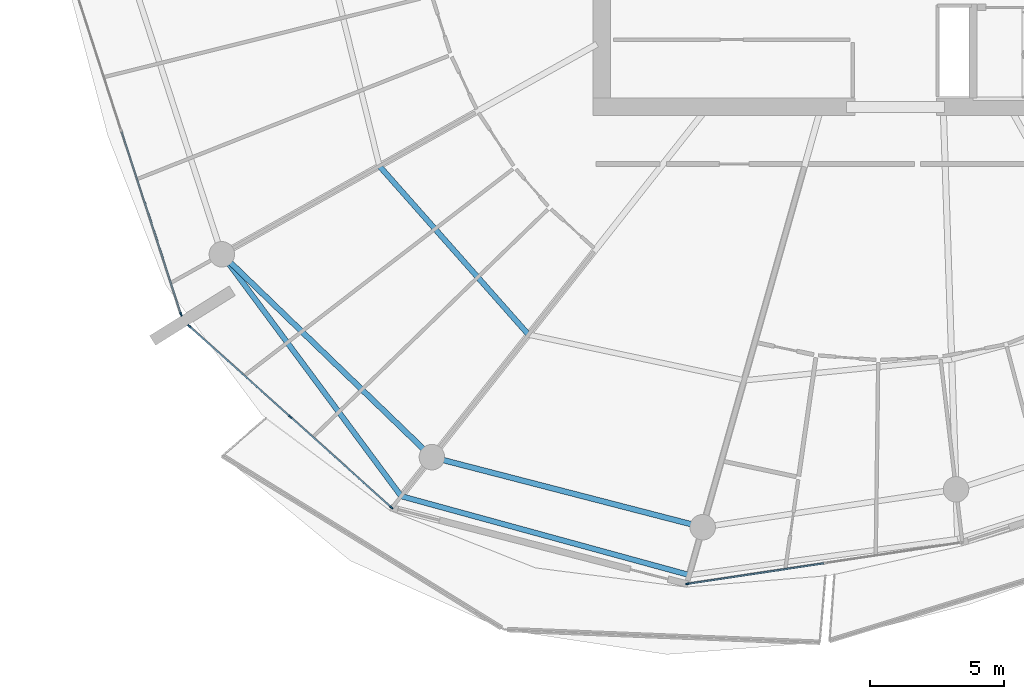
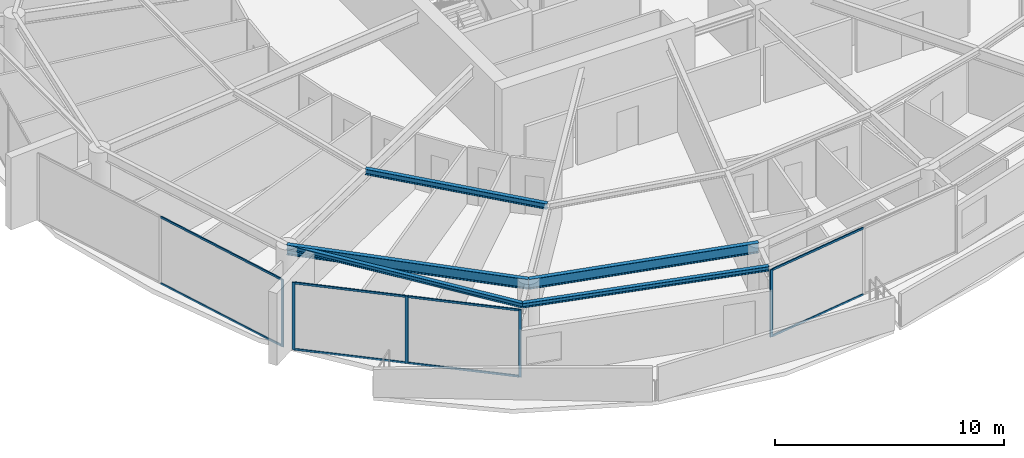
# One storey, part 6 of 31: 13 members, 5 beams, 3 elements without a shape of their own.
"""IFC4 building model written with IfcOpenShell, lengths in metres."""

from ifc_helpers import new_model, si_unit, direction, frame, origin, origin_2d, place, context, subcontext, project, spatial, rectangle, i_section, extrude, material, layer, layer_set, material_profile, profile_set, type_object, element, aggregate, save


model = new_model("IFC4")

# Units and contexts
model_context = context("Model", 3, precision=1e-05, world=origin(), true_north=direction((0.0, 1.0)))
body_context = subcontext(model_context, "Body", "Model", "MODEL_VIEW")
ifc_project = project(units=[si_unit("LENGTHUNIT", "METRE"), si_unit("AREAUNIT", "SQUARE_METRE"), si_unit("VOLUMEUNIT", "CUBIC_METRE"), si_unit("PLANEANGLEUNIT", "RADIAN"), si_unit("MASSUNIT", "GRAM", prefix="KILO")], contexts=[model_context])

# Site, building, storey
site_placement = place(None, origin())
site = spatial("IfcSite", under=ifc_project, at=site_placement, CompositionType="ELEMENT")
building_placement = place(site_placement, origin())
building = spatial("IfcBuilding", under=site, at=building_placement, Name="Kazma Halo Residences", CompositionType="ELEMENT")
storey_placement = place(building_placement, frame((0.0, 0.0, 271.35009765625)))
storey = spatial("IfcBuildingStorey", under=building, at=storey_placement, Name="L68", CompositionType="ELEMENT", Elevation=271.35009765625)

# Beams
ifc_material_1 = material(Name="Steel S355", Category="steel")
ifc_material_profile_1 = material_profile(ifc_material_1, i_section(OverallWidth=0.201904296875, OverallDepth=0.2470703125, WebThickness=0.00732421875, FlangeThickness=0.010986328125, FilletRadius=0.011962890625, at=origin_2d()), Name="W250x49.1")
ifc_profile_set_1 = profile_set([ifc_material_profile_1], Name="Steel S355")
beam_type_1 = type_object("IfcBeamType", Name="BM-BAL-CANT", PredefinedType="BEAM", material=ifc_profile_set_1)
beam_1_placement = place(storey_placement, frame((23.32958984375, 28.18408203125, 3.46630859375), z_axis=(0.595556062515, -0.803313747176, 0.0), x_axis=(0.803313747176, 0.595556062515, 0.0)))
element("IfcBeam", 1, at=beam_1_placement, inside=storey, type_object=beam_type_1, Name="L68 wave-balcony lead tie beam 09", PredefinedType="BEAM", context=body_context, shape_type="SweptSolid", body=[
    extrude(i_section(OverallWidth=0.201904296875, OverallDepth=0.2470703125, WebThickness=0.00732421875, FlangeThickness=0.010986328125, FilletRadius=0.011962890625, at=origin_2d()), origin(), (0.0, 0.0, 1.0), 11.213134765625),
])
beam_2_placement = place(storey_placement, frame((30.007568359375, 19.176513671875, 3.46630859375), z_axis=(0.964514665976, -0.264029277006, 0.0), x_axis=(0.264029277006, 0.964514665976, 0.0)))
element("IfcBeam", 2, at=beam_2_placement, inside=storey, type_object=beam_type_1, Name="L68 wave-balcony tie beam 10", PredefinedType="BEAM", context=body_context, shape_type="SweptSolid", body=[
    extrude(i_section(OverallWidth=0.201904296875, OverallDepth=0.2470703125, WebThickness=0.00732421875, FlangeThickness=0.010986328125, FilletRadius=0.011962890625, at=origin_2d()), origin(), (0.0, 0.0, 1.0), 11.1220703125),
])
ifc_material_profile_2 = material_profile(ifc_material_1, i_section(OverallWidth=0.202880859375, OverallDepth=0.302978515625, WebThickness=0.007568359375, FlangeThickness=0.01318359375, FilletRadius=0.013916015625, at=origin_2d()), Name="W310x60")
ifc_profile_set_2 = profile_set([ifc_material_profile_2], Name="Steel S355")
beam_type_2 = type_object("IfcBeamType", Name="BM-SEC-W310A", PredefinedType="JOIST", material=ifc_profile_set_2)
beam_3_placement = place(storey_placement, frame((29.197265625, 31.469970703125, 3.4384765625), z_axis=(0.662539311942, -0.749027142453, 0.0), x_axis=(0.749027142453, 0.662539311942, 0.0)))
element("IfcBeam", 3, at=beam_3_placement, inside=storey, type_object=beam_type_2, Name="L68 circumferential floor joist 09", PredefinedType="JOIST", context=body_context, shape_type="SweptSolid", body=[
    extrude(i_section(OverallWidth=0.202880859375, OverallDepth=0.302978515625, WebThickness=0.007568359375, FlangeThickness=0.01318359375, FilletRadius=0.013916015625, at=origin_2d()), origin(), (0.0, 0.0, 1.0), 8.381103515625),
])
ifc_material_profile_3 = material_profile(ifc_material_1, i_section(OverallWidth=0.208984375, OverallDepth=0.532958984375, WebThickness=0.01025390625, FlangeThickness=0.015625, FilletRadius=0.01611328125, at=origin_2d()), Name="W530x92")
ifc_profile_set_3 = profile_set([ifc_material_profile_3], Name="Steel S355")
beam_type_3 = type_object("IfcBeamType", Name="BM-SPN-W530", PredefinedType="BEAM", material=ifc_profile_set_3)
beam_4_placement = place(storey_placement, frame((23.32958984375, 28.18408203125, 3.323486328125), z_axis=(0.719345757929, -0.694652201141, 0.0), x_axis=(0.694652201141, 0.719345757929, 0.0)))
element("IfcBeam", 4, at=beam_4_placement, inside=storey, type_object=beam_type_3, Name="L68 perimeter ring beam 09", PredefinedType="BEAM", context=body_context, shape_type="SweptSolid", body=[
    extrude(i_section(OverallWidth=0.208984375, OverallDepth=0.532958984375, WebThickness=0.01025390625, FlangeThickness=0.015625, FilletRadius=0.01611328125, at=origin_2d()), origin(), (0.0, 0.0, 1.0), 10.87548828125),
])
beam_5_placement = place(storey_placement, frame((31.15283203125, 20.62939453125, 3.323486328125), z_axis=(0.968126042852, -0.250463500639, 0.0), x_axis=(0.250463500639, 0.968126042852, 0.0)))
element("IfcBeam", 5, at=beam_5_placement, inside=storey, type_object=beam_type_3, Name="L68 perimeter ring beam 10", PredefinedType="BEAM", context=body_context, shape_type="SweptSolid", body=[
    extrude(i_section(OverallWidth=0.208984375, OverallDepth=0.532958984375, WebThickness=0.01025390625, FlangeThickness=0.015625, FilletRadius=0.01611328125, at=origin_2d()), origin(), (0.0, 0.0, 1.0), 10.416259765625),
])

# Curtain wall, member
ifc_material_2 = material(Name="Aluminium AW-6063 T6 and Triple-Silver Low-E Glass", Category="aluminium")
ifc_layer = layer(ifc_material_2, 0.139892578125)
ifc_layer_set = layer_set([ifc_layer], Name="Aluminium AW-6063 T6 and Triple-Silver Low-E Glass")
curtain_wall_type = type_object("IfcCurtainWallType", Name="CW-SYS-5", PredefinedType="NOTDEFINED", material=ifc_layer_set)
curtain_wall_1_placement = place(storey_placement, origin())
curtain_wall_1 = element("IfcCurtainWall", 6, at=curtain_wall_1_placement, inside=storey, type_object=curtain_wall_type, Name="L68 unitised curtain wall B08", PredefinedType="NOTDEFINED")
ifc_material_3 = material(Name="Aluminium AW-6063 T6", Category="aluminium")
ifc_material_profile_4 = material_profile(ifc_material_3, rectangle(XDim=0.06005859375, YDim=0.139892578125, at=origin_2d()), Name="CWM-60x140")
ifc_profile_set_4 = profile_set([ifc_material_profile_4], Name="Aluminium AW-6063 T6")
member_type_1 = type_object("IfcMemberType", Name="CW-SYS-5-MUL", PredefinedType="MULLION", material=ifc_profile_set_4)
member_1_placement = place(storey_placement, frame((21.8076171875, 25.9521484375, 0.0), z_axis=(0.0, 0.0, 1.0), x_axis=(0.951058464359, 0.309010998786, 0.0)))
member_1 = element("IfcMember", 7, at=member_1_placement, type_object=member_type_1, Name="CWS-5 mullion 3", PredefinedType="MULLION", context=body_context, shape_type="SweptSolid", body=[
    extrude(rectangle(XDim=0.06005859375, YDim=0.139892578125, at=origin_2d()), origin(), (0.0, 0.0, 1.0), 3.58984375),
])

# Curtain wall, members
curtain_wall_2_placement = place(storey_placement, origin())
curtain_wall_2 = element("IfcCurtainWall", 8, at=curtain_wall_2_placement, inside=storey, type_object=curtain_wall_type, Name="L68 unitised curtain wall B09", PredefinedType="NOTDEFINED")
member_2_placement = place(storey_placement, frame((22.11669921875, 25.508056640625, 0.0), z_axis=(0.0, 0.0, 1.0), x_axis=(0.667804826958, 0.744336424671, 0.0)))
member_2 = element("IfcMember", 9, at=member_2_placement, type_object=member_type_1, Name="CWS-5 mullion 1", PredefinedType="MULLION", context=body_context, shape_type="SweptSolid", body=[
    extrude(rectangle(XDim=0.06005859375, YDim=0.139892578125, at=origin_2d()), origin(), (0.0, 0.0, 1.0), 3.58984375),
])
member_3_placement = place(storey_placement, frame((25.878173828125, 22.13330078125, 0.0), z_axis=(0.0, 0.0, 1.0), x_axis=(0.667804826958, 0.744336424671, 0.0)))
member_3 = element("IfcMember", 10, at=member_3_placement, type_object=member_type_1, Name="CWS-5 mullion 2", PredefinedType="MULLION", context=body_context, shape_type="SweptSolid", body=[
    extrude(rectangle(XDim=0.06005859375, YDim=0.139892578125, at=origin_2d()), origin(), (0.0, 0.0, 1.0), 3.58984375),
])
member_4_placement = place(storey_placement, frame((29.6396484375, 18.758544921875, 0.0), z_axis=(0.0, 0.0, 1.0), x_axis=(0.667804826958, 0.744336424671, 0.0)))
member_4 = element("IfcMember", 11, at=member_4_placement, type_object=member_type_1, Name="CWS-5 mullion 3", PredefinedType="MULLION", context=body_context, shape_type="SweptSolid", body=[
    extrude(rectangle(XDim=0.06005859375, YDim=0.139892578125, at=origin_2d()), origin(), (0.0, 0.0, 1.0), 3.58984375),
])

# Curtain wall, member
curtain_wall_3_placement = place(storey_placement, origin())
curtain_wall_3 = element("IfcCurtainWall", 12, at=curtain_wall_3_placement, inside=storey, type_object=curtain_wall_type, Name="L68 unitised curtain wall B11", PredefinedType="NOTDEFINED")
member_5_placement = place(storey_placement, frame((40.671142578125, 15.912841796875, 0.0), z_axis=(0.0, 0.0, 1.0), x_axis=(-0.148697080374, 0.988882792998, 0.0)))
member_5 = element("IfcMember", 13, at=member_5_placement, type_object=member_type_1, Name="CWS-5 mullion 1", PredefinedType="MULLION", context=body_context, shape_type="SweptSolid", body=[
    extrude(rectangle(XDim=0.06005859375, YDim=0.139892578125, at=origin_2d()), origin(), (0.0, 0.0, 1.0), 3.58984375),
])

# Member
ifc_material_profile_5 = material_profile(ifc_material_3, rectangle(XDim=0.06005859375, YDim=0.10498046875, at=origin_2d()), Name="CWT-60x105")
ifc_profile_set_5 = profile_set([ifc_material_profile_5], Name="Aluminium AW-6063 T6")
member_type_2 = type_object("IfcMemberType", Name="CW-SYS-5-TRN", PredefinedType="USERDEFINED", material=ifc_profile_set_5)
member_6_placement = place(storey_placement, frame((19.6015625, 32.7412109375, 0.02978515625), z_axis=(0.309027052142, -0.95105324827, 0.0), x_axis=(0.95105324827, 0.309027052142, 0.0)))
member_6 = element("IfcMember", 14, at=member_6_placement, type_object=member_type_2, Name="CWS-5 transom 2.1", ObjectType="TRANSOM", PredefinedType="USERDEFINED", context=body_context, shape_type="SweptSolid", body=[
    extrude(rectangle(XDim=0.06005859375, YDim=0.10498046875, at=origin_2d()), origin(), (0.0, 0.0, 1.0), 7.108642578125),
])

member_7_placement = place(storey_placement, frame((19.6015625, 32.7412109375, 3.559814453125), z_axis=(0.309027052142, -0.95105324827, 0.0), x_axis=(0.95105324827, 0.309027052142, 0.0)))
member_7 = element("IfcMember", 15, at=member_7_placement, type_object=member_type_2, Name="CWS-5 transom 2.2", ObjectType="TRANSOM", PredefinedType="USERDEFINED", context=body_context, shape_type="SweptSolid", body=[
    extrude(rectangle(XDim=0.06005859375, YDim=0.10498046875, at=origin_2d()), origin(), (0.0, 0.0, 1.0), 7.108642578125),
])

aggregate(curtain_wall_1, [member_1, member_6, member_7])

member_8_placement = place(storey_placement, frame((22.138916015625, 25.488037109375, 0.02978515625), z_axis=(0.744328897483, -0.667813216679, 0.0), x_axis=(0.667813216679, 0.744328897483, 0.0)))
member_8 = element("IfcMember", 16, at=member_8_placement, type_object=member_type_2, Name="CWS-5 transom 1.1", ObjectType="TRANSOM", PredefinedType="USERDEFINED", context=body_context, shape_type="SweptSolid", body=[
    extrude(rectangle(XDim=0.06005859375, YDim=0.10498046875, at=origin_2d()), origin(), (0.0, 0.0, 1.0), 4.993408203125),
])

member_9_placement = place(storey_placement, frame((22.138916015625, 25.488037109375, 3.559814453125), z_axis=(0.744328897483, -0.667813216679, 0.0), x_axis=(0.667813216679, 0.744328897483, 0.0)))
member_9 = element("IfcMember", 17, at=member_9_placement, type_object=member_type_2, Name="CWS-5 transom 1.2", ObjectType="TRANSOM", PredefinedType="USERDEFINED", context=body_context, shape_type="SweptSolid", body=[
    extrude(rectangle(XDim=0.06005859375, YDim=0.10498046875, at=origin_2d()), origin(), (0.0, 0.0, 1.0), 4.993408203125),
])

member_10_placement = place(storey_placement, frame((25.900390625, 22.11328125, 0.02978515625), z_axis=(0.744350700793, -0.667788914425, 0.0), x_axis=(0.667788914425, 0.744350700793, 0.0)))
member_10 = element("IfcMember", 18, at=member_10_placement, type_object=member_type_2, Name="CWS-5 transom 2.1", ObjectType="TRANSOM", PredefinedType="USERDEFINED", context=body_context, shape_type="SweptSolid", body=[
    extrude(rectangle(XDim=0.06005859375, YDim=0.10498046875, at=origin_2d()), origin(), (0.0, 0.0, 1.0), 4.99365234375),
])

member_11_placement = place(storey_placement, frame((25.900390625, 22.11328125, 3.559814453125), z_axis=(0.744350700793, -0.667788914425, 0.0), x_axis=(0.667788914425, 0.744350700793, 0.0)))
member_11 = element("IfcMember", 19, at=member_11_placement, type_object=member_type_2, Name="CWS-5 transom 2.2", ObjectType="TRANSOM", PredefinedType="USERDEFINED", context=body_context, shape_type="SweptSolid", body=[
    extrude(rectangle(XDim=0.06005859375, YDim=0.10498046875, at=origin_2d()), origin(), (0.0, 0.0, 1.0), 4.99365234375),
])

aggregate(curtain_wall_2, [member_2, member_3, member_4, member_8, member_9, member_10, member_11])

member_12_placement = place(storey_placement, frame((40.70068359375, 15.917236328125, 0.02978515625), z_axis=(0.988883972013, 0.148689239341, 0.0), x_axis=(-0.148689239341, 0.988883972013, 0.0)))
member_12 = element("IfcMember", 20, at=member_12_placement, type_object=member_type_2, Name="CWS-5 transom 1.1", ObjectType="TRANSOM", PredefinedType="USERDEFINED", context=body_context, shape_type="SweptSolid", body=[
    extrude(rectangle(XDim=0.06005859375, YDim=0.10498046875, at=origin_2d()), origin(), (0.0, 0.0, 1.0), 5.099853515625),
])

member_13_placement = place(storey_placement, frame((40.70068359375, 15.917236328125, 3.559814453125), z_axis=(0.988883972013, 0.148689239341, 0.0), x_axis=(-0.148689239341, 0.988883972013, 0.0)))
member_13 = element("IfcMember", 21, at=member_13_placement, type_object=member_type_2, Name="CWS-5 transom 1.2", ObjectType="TRANSOM", PredefinedType="USERDEFINED", context=body_context, shape_type="SweptSolid", body=[
    extrude(rectangle(XDim=0.06005859375, YDim=0.10498046875, at=origin_2d()), origin(), (0.0, 0.0, 1.0), 5.099853515625),
])

aggregate(curtain_wall_3, [member_5, member_12, member_13])

save(model, "model.ifc")
